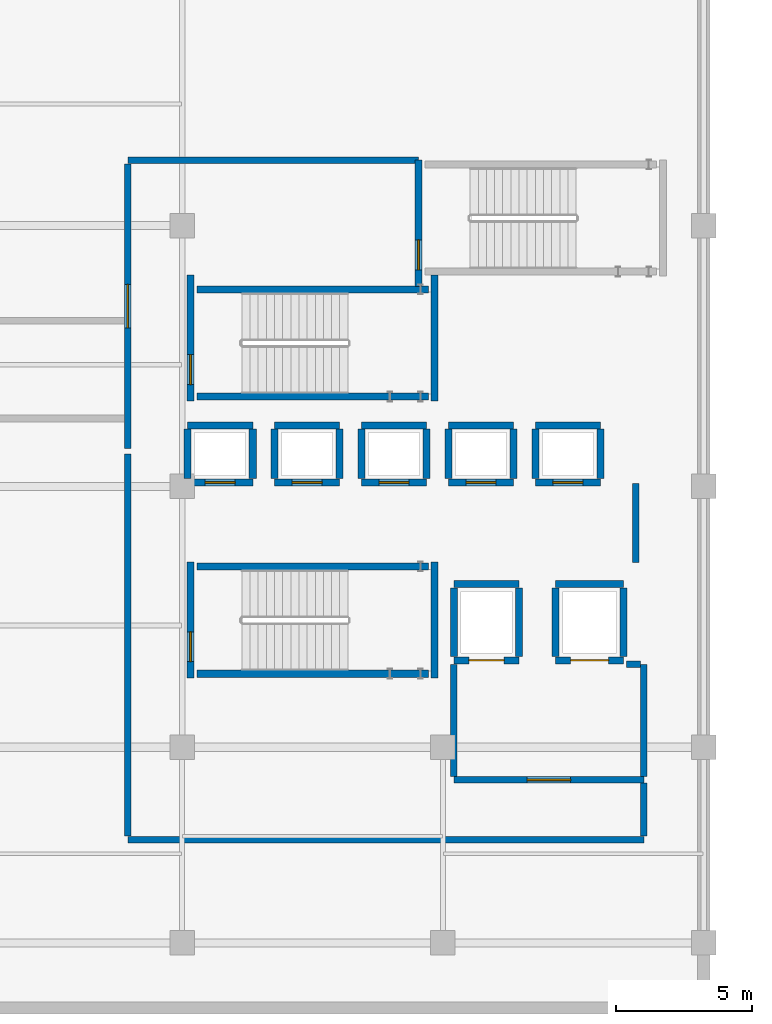
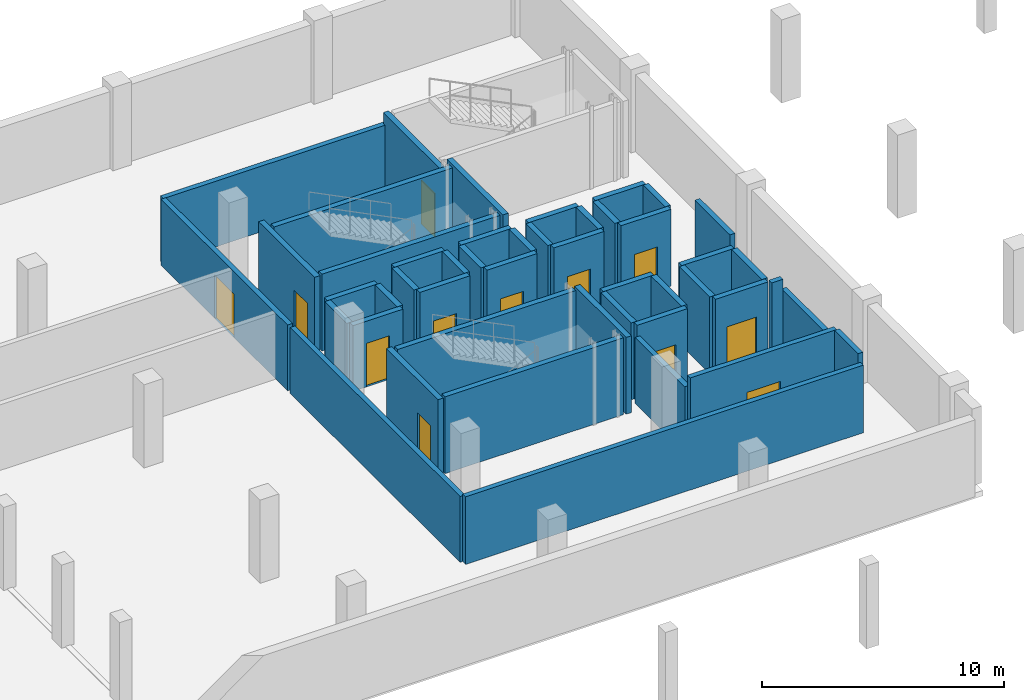
# One storey, part 36 of 47: 47 walls, 12 doors, 12 openings.
"""IFC4 building model written with IfcOpenShell, lengths in metres."""

from ifc_helpers import new_model, si_unit, direction, frame, frame_2d, origin, place, context, subcontext, project, spatial, rectangle, extrude, material, layer, layer_set, type_object, element, fill, save


model = new_model("IFC4")

# Units and contexts
model_context = context("Model", 3, precision=1e-05, world=origin(), true_north=direction((0.0, 1.0)))
body_context = subcontext(model_context, "Body", "Model", "MODEL_VIEW")
ifc_project = project(units=[si_unit("LENGTHUNIT", "METRE"), si_unit("AREAUNIT", "SQUARE_METRE"), si_unit("VOLUMEUNIT", "CUBIC_METRE"), si_unit("PLANEANGLEUNIT", "RADIAN"), si_unit("MASSUNIT", "GRAM", prefix="KILO")], contexts=[model_context])

# Site, building, storey
site_placement = place(None, origin())
site = spatial("IfcSite", under=ifc_project, at=site_placement, CompositionType="ELEMENT")
building_placement = place(site_placement, origin())
building = spatial("IfcBuilding", under=site, at=building_placement, Name="Zevrakil Square Congress Hotel", CompositionType="ELEMENT")
storey_placement = place(building_placement, frame((0.0, 0.0, -4.199951171875)))
storey = spatial("IfcBuildingStorey", under=building, at=storey_placement, Name="B1", CompositionType="ELEMENT", Elevation=-4.199951171875)

# Wall, opening, door
ifc_material_1 = material(Name="Concrete C35/45", Category="concrete")
ifc_layer_1 = layer(ifc_material_1, 0.239990234375)
ifc_layer_set_1 = layer_set([ifc_layer_1], Name="Concrete C35/45")
wall_type_1 = type_object("IfcWallType", Name="WAL-COMP-240", PredefinedType="SOLIDWALL", material=ifc_layer_set_1)
wall_1_placement = place(storey_placement, frame((146.800048828125, 15.60009765625, 0.0), z_axis=(0.0, 0.0, 1.0), x_axis=(1.0, 0.0, 0.0)))
wall_1 = element("IfcWall", 1, at=wall_1_placement, inside=storey, type_object=wall_type_1, Name="B1 interior partition PW-B1-0016", PredefinedType="SOLIDWALL", context=body_context, shape_type="SweptSolid", body=[
    extrude(rectangle(XDim=7.0, YDim=0.239990234375, at=frame_2d((3.5, 0.0))), origin(), (0.0, 0.0, 1.0), 3.8798828125),
])
opening_1_placement = place(wall_1_placement, frame((2.699951171875, 0.0, 0.0)))
opening_1 = element("IfcOpeningElement", 2, at=opening_1_placement, cuts=wall_1, Name="Opening FD90-D", PredefinedType="OPENING", context=body_context, shape_type="SweptSolid", body=[
    extrude(rectangle(XDim=1.60009765625, YDim=2.199951171875, at=frame_2d((0.800048828125, 1.10009765625))), frame((0.0, 0.1298828125, 0.0), z_axis=(0.0, -1.0, 0.0), x_axis=(1.0, 0.0, 0.0)), (0.0, 0.0, 1.0), 0.260009765625),
])
ifc_material_2 = material(Name="Steel S355 Double Fire Door", Category="steel")
door_type_1 = type_object("IfcDoorType", Name="DOR-FFLOB-FD90-160", OperationType="NOTDEFINED", PredefinedType="DOOR", material=ifc_material_2)
door_1_placement = place(opening_1_placement, origin())
door_1 = element("IfcDoor", 3, at=door_1_placement, inside=storey, type_object=door_type_1, Name="B1 interior door 5", OperationType="DOUBLE_DOOR_SINGLE_SWING", OverallHeight=2.199951171875, OverallWidth=1.60009765625, PredefinedType="DOOR", context=body_context, shape_type="SweptSolid", body=[
    extrude(rectangle(XDim=1.60009765625, YDim=2.199951171875, at=frame_2d((0.800048828125, 1.10009765625))), frame((0.0, 0.02490234375, 0.0), z_axis=(0.0, -1.0, 0.0), x_axis=(1.0, 0.0, 0.0)), (0.0, 0.0, 1.0), 0.050048828125),
])
fill(opening_1, door_1)

# Walls
for number, where, z_axis, x_axis, name in (
    (4, (146.800048828125, 15.72509765625, 0.0), (0.0, 0.0, 1.0), (0.0, 1.0, 0.0), "B1 interior partition PW-B1-0017"),
    (5, (153.800048828125, 15.72509765625, 0.0), (0.0, 0.0, 1.0), (0.0, 1.0, 0.0), "B1 interior partition PW-B1-0018"),
):
    element("IfcWall", number, at=place(storey_placement, frame(where, z_axis=z_axis, x_axis=x_axis)), inside=storey, type_object=wall_type_1, Name=name, PredefinedType="SOLIDWALL", context=body_context, shape_type="SweptSolid", body=[
        extrude(rectangle(XDim=4.125, YDim=0.239990234375, at=frame_2d((2.0625, 0.0))), origin(), (0.0, 0.0, 1.0), 3.324951171875),
    ])
wall_2_placement = place(storey_placement, frame((153.14990234375, 19.85009765625, 0.0), z_axis=(0.0, 0.0, 1.0), x_axis=(1.0, 0.0, 0.0)))
element("IfcWall", 6, at=wall_2_placement, inside=storey, type_object=wall_type_1, Name="B1 interior partition PW-B1-0019", PredefinedType="SOLIDWALL", context=body_context, shape_type="SweptSolid", body=[
    extrude(rectangle(XDim=0.525146484375, YDim=0.239990234375, at=frame_2d((0.2626953125, 0.0))), origin(), (0.0, 0.0, 1.0), 3.8798828125),
])
wall_3_placement = place(storey_placement, frame((134.800048828125, 13.39990234375, 0.0), z_axis=(0.0, 0.0, 1.0), x_axis=(1.0, 0.0, 0.0)))
element("IfcWall", 7, at=wall_3_placement, inside=storey, type_object=wall_type_1, Name="B1 interior partition PW-B1-0020", PredefinedType="SOLIDWALL", context=body_context, shape_type="SweptSolid", body=[
    extrude(rectangle(XDim=19.0, YDim=0.239990234375, at=frame_2d((9.5, 0.0))), origin(), (0.0, 0.0, 1.0), 3.4150390625),
])
wall_4_placement = place(storey_placement, frame((153.800048828125, 13.52490234375, 0.0), z_axis=(0.0, 0.0, 1.0), x_axis=(0.0, 1.0, 0.0)))
element("IfcWall", 8, at=wall_4_placement, inside=storey, type_object=wall_type_1, Name="B1 interior partition PW-B1-0021", PredefinedType="SOLIDWALL", context=body_context, shape_type="SweptSolid", body=[
    extrude(rectangle(XDim=1.9501953125, YDim=0.239990234375, at=frame_2d((0.97509765625, 0.0))), origin(), (0.0, 0.0, 1.0), 3.8798828125),
])
wall_5_placement = place(storey_placement, frame((134.800048828125, 13.52490234375, 0.0), z_axis=(0.0, 0.0, 1.0), x_axis=(0.0, 1.0, 0.0)))
element("IfcWall", 9, at=wall_5_placement, inside=storey, type_object=wall_type_1, Name="B1 interior partition PW-B1-0022", PredefinedType="SOLIDWALL", context=body_context, shape_type="SweptSolid", body=[
    extrude(rectangle(XDim=14.0751953125, YDim=0.239990234375, at=frame_2d((7.03759765625, 0.0))), origin(), (0.0, 0.0, 1.0), 3.324951171875),
])

# Wall, opening, door
wall_6_placement = place(storey_placement, frame((134.800048828125, 27.800048828125, 0.0), z_axis=(0.0, 0.0, 1.0), x_axis=(0.0, 1.0, 0.0)))
wall_6 = element("IfcWall", 10, at=wall_6_placement, inside=storey, type_object=wall_type_1, Name="B1 interior partition PW-B1-0023", PredefinedType="SOLIDWALL", context=body_context, shape_type="SweptSolid", body=[
    extrude(rectangle(XDim=10.474853515625, YDim=0.239990234375, at=frame_2d((5.2373046875, 0.0))), origin(), (0.0, 0.0, 1.0), 3.324951171875),
])
opening_2_placement = place(wall_6_placement, frame((4.4375, 0.0, 0.0)))
opening_2 = element("IfcOpeningElement", 11, at=opening_2_placement, cuts=wall_6, Name="Opening FD90-D", PredefinedType="OPENING", context=body_context, shape_type="SweptSolid", body=[
    extrude(rectangle(XDim=1.60009765625, YDim=2.199951171875, at=frame_2d((0.800048828125, 1.10009765625))), frame((0.0, 0.1298828125, 0.0), z_axis=(0.0, -1.0, 0.0), x_axis=(1.0, 0.0, 0.0)), (0.0, 0.0, 1.0), 0.260009765625),
])
door_2_placement = place(opening_2_placement, origin())
door_2 = element("IfcDoor", 12, at=door_2_placement, inside=storey, type_object=door_type_1, Name="B1 interior door 6", OperationType="DOUBLE_DOOR_SINGLE_SWING", OverallHeight=2.199951171875, OverallWidth=1.60009765625, PredefinedType="DOOR", context=body_context, shape_type="SweptSolid", body=[
    extrude(rectangle(XDim=1.60009765625, YDim=2.199951171875, at=frame_2d((0.800048828125, 1.10009765625))), frame((0.0, 0.02490234375, 0.0), z_axis=(0.0, -1.0, 0.0), x_axis=(1.0, 0.0, 0.0)), (0.0, 0.0, 1.0), 0.050048828125),
])
fill(opening_2, door_2)

# Walls
wall_7_placement = place(storey_placement, frame((134.800048828125, 38.39990234375, 0.0), z_axis=(0.0, 0.0, 1.0), x_axis=(1.0, 0.0, 0.0)))
element("IfcWall", 13, at=wall_7_placement, inside=storey, type_object=wall_type_1, Name="B1 interior partition PW-B1-0024", PredefinedType="SOLIDWALL", context=body_context, shape_type="SweptSolid", body=[
    extrude(rectangle(XDim=10.699951171875, YDim=0.239990234375, at=frame_2d((5.35009765625, 0.0))), origin(), (0.0, 0.0, 1.0), 3.31494140625),
])
wall_8_placement = place(storey_placement, frame((153.5, 23.60009765625, 0.0), z_axis=(0.0, 0.0, 1.0), x_axis=(0.0, 1.0, 0.0)))
element("IfcWall", 14, at=wall_8_placement, inside=storey, type_object=wall_type_1, Name="B1 interior partition PW-B1-0025", PredefinedType="SOLIDWALL", context=body_context, shape_type="SweptSolid", body=[
    extrude(rectangle(XDim=2.89990234375, YDim=0.239990234375, at=frame_2d((1.449951171875, 0.0))), origin(), (0.0, 0.0, 1.0), 3.8798828125),
])

# Wall, opening, door
ifc_material_3 = material(Name="Concrete C40/50", Category="concrete")
ifc_layer_2 = layer(ifc_material_3, 0.260009765625)
ifc_layer_set_2 = layer_set([ifc_layer_2], Name="Concrete C40/50")
wall_type_2 = type_object("IfcWallType", Name="WAL-SHAFT-260", PredefinedType="SHEAR", material=ifc_layer_set_2)
wall_9_placement = place(storey_placement, frame((137.10498046875, 19.340087890625, 0.0), z_axis=(0.0, 0.0, 1.0), x_axis=(0.0, 1.0, 0.0)))
wall_9 = element("IfcWall", 15, at=wall_9_placement, inside=storey, type_object=wall_type_2, Name="B1 ST01 stair shaft W wall", PredefinedType="SHEAR", context=body_context, shape_type="SweptSolid", body=[
    extrude(rectangle(XDim=4.27001953125, YDim=0.260009765625, at=frame_2d((2.135009765625, 0.0))), origin(), (0.0, 0.0, 1.0), 3.8798828125),
])
opening_3_placement = place(wall_9_placement, frame((0.610107421875, 0.0, 0.0)))
opening_3 = element("IfcOpeningElement", 16, at=opening_3_placement, cuts=wall_9, Name="Opening SD-ST01", PredefinedType="OPENING", context=body_context, shape_type="SweptSolid", body=[
    extrude(rectangle(XDim=1.10009765625, YDim=2.199951171875, at=frame_2d((0.550048828125, 1.10009765625))), frame((0.0, 0.14013671875, 0.0), z_axis=(0.0, -1.0, 0.0), x_axis=(1.0, 0.0, 0.0)), (0.0, 0.0, 1.0), 0.280029296875),
])
ifc_material_4 = material(Name="Steel S355 Fire-Rated Door", Category="steel")
door_type_2 = type_object("IfcDoorType", Name="DOR-STAIR-FD90-110", OperationType="NOTDEFINED", PredefinedType="DOOR", material=ifc_material_4)
door_3_placement = place(opening_3_placement, origin())
door_3 = element("IfcDoor", 17, at=door_3_placement, inside=storey, type_object=door_type_2, Name="B1 ST01 protected stair fire door", OperationType="SINGLE_SWING_LEFT", OverallHeight=2.199951171875, OverallWidth=1.10009765625, PredefinedType="DOOR", context=body_context, shape_type="SweptSolid", body=[
    extrude(rectangle(XDim=1.10009765625, YDim=2.199951171875, at=frame_2d((0.550048828125, 1.10009765625))), frame((0.0, 0.02490234375, 0.0), z_axis=(0.0, -1.0, 0.0), x_axis=(1.0, 0.0, 0.0)), (0.0, 0.0, 1.0), 0.050048828125),
])
fill(opening_3, door_3)

# Walls
wall_10_placement = place(storey_placement, frame((146.094970703125, 19.340087890625, 0.0), z_axis=(0.0, 0.0, 1.0), x_axis=(0.0, 1.0, 0.0)))
element("IfcWall", 18, at=wall_10_placement, inside=storey, type_object=wall_type_2, Name="B1 ST01 stair shaft E wall", PredefinedType="SHEAR", context=body_context, shape_type="SweptSolid", body=[
    extrude(rectangle(XDim=4.27001953125, YDim=0.260009765625, at=frame_2d((2.135009765625, 0.0))), origin(), (0.0, 0.0, 1.0), 3.8798828125),
])
for number, where, z_axis, x_axis, name in (
    (19, (137.340087890625, 19.5048828125, 0.0), (0.0, 0.0, 1.0), (1.0, 0.0, 0.0), "B1 ST01 stair shaft S wall"),
    (20, (137.340087890625, 23.445068359375, 0.0), (0.0, 0.0, 1.0), (1.0, 0.0, 0.0), "B1 ST01 stair shaft N wall"),
):
    element("IfcWall", number, at=place(storey_placement, frame(where, z_axis=z_axis, x_axis=x_axis)), inside=storey, type_object=wall_type_2, Name=name, PredefinedType="SHEAR", context=body_context, shape_type="SweptSolid", body=[
        extrude(rectangle(XDim=8.52001953125, YDim=0.260009765625, at=frame_2d((4.260009765625, 0.0))), origin(), (0.0, 0.0, 1.0), 3.8798828125),
    ])

# Wall, opening, door
wall_11_placement = place(storey_placement, frame((137.10498046875, 29.5400390625, 0.0), z_axis=(0.0, 0.0, 1.0), x_axis=(0.0, 1.0, 0.0)))
wall_11 = element("IfcWall", 21, at=wall_11_placement, inside=storey, type_object=wall_type_2, Name="B1 ST02 stair shaft W wall", PredefinedType="SHEAR", context=body_context, shape_type="SweptSolid", body=[
    extrude(rectangle(XDim=4.635009765625, YDim=0.260009765625, at=frame_2d((2.3173828125, 0.0))), origin(), (0.0, 0.0, 1.0), 3.8798828125),
])
opening_4_placement = place(wall_11_placement, frame((0.610107421875, 0.0, 0.0)))
opening_4 = element("IfcOpeningElement", 22, at=opening_4_placement, cuts=wall_11, Name="Opening SD-ST02", PredefinedType="OPENING", context=body_context, shape_type="SweptSolid", body=[
    extrude(rectangle(XDim=1.10009765625, YDim=2.199951171875, at=frame_2d((0.550048828125, 1.10009765625))), frame((0.0, 0.14013671875, 0.0), z_axis=(0.0, -1.0, 0.0), x_axis=(1.0, 0.0, 0.0)), (0.0, 0.0, 1.0), 0.280029296875),
])
door_4_placement = place(opening_4_placement, origin())
door_4 = element("IfcDoor", 23, at=door_4_placement, inside=storey, type_object=door_type_2, Name="B1 ST02 protected stair fire door", OperationType="SINGLE_SWING_LEFT", OverallHeight=2.199951171875, OverallWidth=1.10009765625, PredefinedType="DOOR", context=body_context, shape_type="SweptSolid", body=[
    extrude(rectangle(XDim=1.10009765625, YDim=2.199951171875, at=frame_2d((0.550048828125, 1.10009765625))), frame((0.0, 0.02490234375, 0.0), z_axis=(0.0, -1.0, 0.0), x_axis=(1.0, 0.0, 0.0)), (0.0, 0.0, 1.0), 0.050048828125),
])
fill(opening_4, door_4)

# Walls
wall_12_placement = place(storey_placement, frame((146.094970703125, 29.5400390625, 0.0), z_axis=(0.0, 0.0, 1.0), x_axis=(0.0, 1.0, 0.0)))
element("IfcWall", 24, at=wall_12_placement, inside=storey, type_object=wall_type_2, Name="B1 ST02 stair shaft E wall", PredefinedType="SHEAR", context=body_context, shape_type="SweptSolid", body=[
    extrude(rectangle(XDim=4.635009765625, YDim=0.260009765625, at=frame_2d((2.3173828125, 0.0))), origin(), (0.0, 0.0, 1.0), 3.8798828125),
])
for number, where, z_axis, x_axis, name in (
    (25, (137.340087890625, 29.705078125, 0.0), (0.0, 0.0, 1.0), (1.0, 0.0, 0.0), "B1 ST02 stair shaft S wall"),
    (26, (137.340087890625, 33.64501953125, 0.0), (0.0, 0.0, 1.0), (1.0, 0.0, 0.0), "B1 ST02 stair shaft N wall"),
):
    element("IfcWall", number, at=place(storey_placement, frame(where, z_axis=z_axis, x_axis=x_axis)), inside=storey, type_object=wall_type_2, Name=name, PredefinedType="SHEAR", context=body_context, shape_type="SweptSolid", body=[
        extrude(rectangle(XDim=8.52001953125, YDim=0.260009765625, at=frame_2d((4.260009765625, 0.0))), origin(), (0.0, 0.0, 1.0), 3.8798828125),
    ])

# Wall, opening, door
wall_13_placement = place(storey_placement, frame((145.5048828125, 33.764892578125, 0.0), z_axis=(0.0, 0.0, 1.0), x_axis=(0.0, 1.0, 0.0)))
wall_13 = element("IfcWall", 27, at=wall_13_placement, inside=storey, type_object=wall_type_2, Name="B1 ST03 stair shaft W wall", PredefinedType="SHEAR", context=body_context, shape_type="SweptSolid", body=[
    extrude(rectangle(XDim=4.64501953125, YDim=0.260009765625, at=frame_2d((2.322509765625, 0.0))), origin(), (0.0, 0.0, 1.0), 3.8798828125),
])
opening_5_placement = place(wall_13_placement, frame((0.610107421875, 0.0, 0.0)))
opening_5 = element("IfcOpeningElement", 28, at=opening_5_placement, cuts=wall_13, Name="Opening SD-ST03", PredefinedType="OPENING", context=body_context, shape_type="SweptSolid", body=[
    extrude(rectangle(XDim=1.10009765625, YDim=2.199951171875, at=frame_2d((0.550048828125, 1.10009765625))), frame((0.0, 0.14013671875, 0.0), z_axis=(0.0, -1.0, 0.0), x_axis=(1.0, 0.0, 0.0)), (0.0, 0.0, 1.0), 0.280029296875),
])
door_5_placement = place(opening_5_placement, origin())
door_5 = element("IfcDoor", 29, at=door_5_placement, inside=storey, type_object=door_type_2, Name="B1 ST03 protected stair fire door", OperationType="SINGLE_SWING_LEFT", OverallHeight=2.199951171875, OverallWidth=1.10009765625, PredefinedType="DOOR", context=body_context, shape_type="SweptSolid", body=[
    extrude(rectangle(XDim=1.10009765625, YDim=2.199951171875, at=frame_2d((0.550048828125, 1.10009765625))), frame((0.0, 0.02490234375, 0.0), z_axis=(0.0, -1.0, 0.0), x_axis=(1.0, 0.0, 0.0)), (0.0, 0.0, 1.0), 0.050048828125),
])
fill(opening_5, door_5)

wall_14_placement = place(storey_placement, frame((137.0, 26.550048828125, 0.0), z_axis=(0.0, 0.0, 1.0), x_axis=(1.0, 0.0, 0.0)))
wall_14 = element("IfcWall", 30, at=wall_14_placement, inside=storey, type_object=wall_type_2, Name="B1 HL1 lift shaft wall", PredefinedType="SHEAR", context=body_context, shape_type="SweptSolid", body=[
    extrude(rectangle(XDim=2.39990234375, YDim=0.260009765625, at=frame_2d((1.199951171875, 0.0))), origin(), (0.0, 0.0, 1.0), 3.31494140625),
])
opening_6_placement = place(wall_14_placement, frame((0.64990234375, 0.0, 0.0)))
opening_6 = element("IfcOpeningElement", 31, at=opening_6_placement, cuts=wall_14, Name="Opening LD-HL1", PredefinedType="OPENING", context=body_context, shape_type="SweptSolid", body=[
    extrude(rectangle(XDim=1.10009765625, YDim=2.199951171875, at=frame_2d((0.550048828125, 1.10009765625))), frame((0.0, 0.14013671875, 0.0), z_axis=(0.0, -1.0, 0.0), x_axis=(1.0, 0.0, 0.0)), (0.0, 0.0, 1.0), 0.280029296875),
])
ifc_material_5 = material(Name="Stainless Steel Sliding Lift Landing Door", Category="steel")
door_type_3 = type_object("IfcDoorType", Name="DOR-LIFT-LD110", OperationType="NOTDEFINED", PredefinedType="DOOR", material=ifc_material_5)
door_6_placement = place(opening_6_placement, origin())
door_6 = element("IfcDoor", 32, at=door_6_placement, inside=storey, type_object=door_type_3, Name="B1 HL1 sliding lift landing door", OperationType="SLIDING_TO_LEFT", OverallHeight=2.199951171875, OverallWidth=1.10009765625, PredefinedType="DOOR", context=body_context, shape_type="SweptSolid", body=[
    extrude(rectangle(XDim=1.10009765625, YDim=2.199951171875, at=frame_2d((0.550048828125, 1.10009765625))), frame((0.0, 0.02490234375, 0.0), z_axis=(0.0, -1.0, 0.0), x_axis=(1.0, 0.0, 0.0)), (0.0, 0.0, 1.0), 0.050048828125),
])
fill(opening_6, door_6)

# Walls
wall_15_placement = place(storey_placement, frame((137.0, 28.64990234375, 0.0), z_axis=(0.0, 0.0, 1.0), x_axis=(1.0, 0.0, 0.0)))
element("IfcWall", 33, at=wall_15_placement, inside=storey, type_object=wall_type_2, Name="B1 HL1 lift shaft wall", PredefinedType="SHEAR", context=body_context, shape_type="SweptSolid", body=[
    extrude(rectangle(XDim=2.39990234375, YDim=0.260009765625, at=frame_2d((1.199951171875, 0.0))), origin(), (0.0, 0.0, 1.0), 3.31494140625),
])
for number, where, z_axis, x_axis, name in (
    (34, (137.0, 26.68994140625, 0.0), (0.0, 0.0, 1.0), (0.0, 1.0, 0.0), "B1 HL1 lift shaft wall"),
    (35, (139.39990234375, 26.68994140625, 0.0), (0.0, 0.0, 1.0), (0.0, 1.0, 0.0), "B1 HL1 lift shaft wall"),
):
    element("IfcWall", number, at=place(storey_placement, frame(where, z_axis=z_axis, x_axis=x_axis)), inside=storey, type_object=wall_type_2, Name=name, PredefinedType="SHEAR", context=body_context, shape_type="SweptSolid", body=[
        extrude(rectangle(XDim=1.820068359375, YDim=0.260009765625, at=frame_2d((0.91015625, 0.0))), origin(), (0.0, 0.0, 1.0), 3.31494140625),
    ])

# Wall, opening, door
wall_16_placement = place(storey_placement, frame((140.199951171875, 26.550048828125, 0.0), z_axis=(0.0, 0.0, 1.0), x_axis=(1.0, 0.0, 0.0)))
wall_16 = element("IfcWall", 36, at=wall_16_placement, inside=storey, type_object=wall_type_2, Name="B1 HL2 lift shaft wall", PredefinedType="SHEAR", context=body_context, shape_type="SweptSolid", body=[
    extrude(rectangle(XDim=2.400146484375, YDim=0.260009765625, at=frame_2d((1.2001953125, 0.0))), origin(), (0.0, 0.0, 1.0), 3.8798828125),
])
opening_7_placement = place(wall_16_placement, frame((0.64990234375, 0.0, 0.0)))
opening_7 = element("IfcOpeningElement", 37, at=opening_7_placement, cuts=wall_16, Name="Opening LD-HL2", PredefinedType="OPENING", context=body_context, shape_type="SweptSolid", body=[
    extrude(rectangle(XDim=1.10009765625, YDim=2.199951171875, at=frame_2d((0.550048828125, 1.10009765625))), frame((0.0, 0.14013671875, 0.0), z_axis=(0.0, -1.0, 0.0), x_axis=(1.0, 0.0, 0.0)), (0.0, 0.0, 1.0), 0.280029296875),
])
door_7_placement = place(opening_7_placement, origin())
door_7 = element("IfcDoor", 38, at=door_7_placement, inside=storey, type_object=door_type_3, Name="B1 HL2 sliding lift landing door", OperationType="SLIDING_TO_RIGHT", OverallHeight=2.199951171875, OverallWidth=1.10009765625, PredefinedType="DOOR", context=body_context, shape_type="SweptSolid", body=[
    extrude(rectangle(XDim=1.10009765625, YDim=2.199951171875, at=frame_2d((0.550048828125, 1.10009765625))), frame((0.0, 0.02490234375, 0.0), z_axis=(0.0, -1.0, 0.0), x_axis=(1.0, 0.0, 0.0)), (0.0, 0.0, 1.0), 0.050048828125),
])
fill(opening_7, door_7)

# Walls
wall_17_placement = place(storey_placement, frame((140.199951171875, 28.64990234375, 0.0), z_axis=(0.0, 0.0, 1.0), x_axis=(1.0, 0.0, 0.0)))
element("IfcWall", 39, at=wall_17_placement, inside=storey, type_object=wall_type_2, Name="B1 HL2 lift shaft wall", PredefinedType="SHEAR", context=body_context, shape_type="SweptSolid", body=[
    extrude(rectangle(XDim=2.400146484375, YDim=0.260009765625, at=frame_2d((1.2001953125, 0.0))), origin(), (0.0, 0.0, 1.0), 3.8798828125),
])
for number, where, z_axis, x_axis, name in (
    (40, (140.199951171875, 26.68994140625, 0.0), (0.0, 0.0, 1.0), (0.0, 1.0, 0.0), "B1 HL2 lift shaft wall"),
    (41, (142.60009765625, 26.68994140625, 0.0), (0.0, 0.0, 1.0), (0.0, 1.0, 0.0), "B1 HL2 lift shaft wall"),
):
    element("IfcWall", number, at=place(storey_placement, frame(where, z_axis=z_axis, x_axis=x_axis)), inside=storey, type_object=wall_type_2, Name=name, PredefinedType="SHEAR", context=body_context, shape_type="SweptSolid", body=[
        extrude(rectangle(XDim=1.820068359375, YDim=0.260009765625, at=frame_2d((0.91015625, 0.0))), origin(), (0.0, 0.0, 1.0), 3.8798828125),
    ])

# Wall, opening, door
wall_18_placement = place(storey_placement, frame((143.39990234375, 26.550048828125, 0.0), z_axis=(0.0, 0.0, 1.0), x_axis=(1.0, 0.0, 0.0)))
wall_18 = element("IfcWall", 42, at=wall_18_placement, inside=storey, type_object=wall_type_2, Name="B1 HL3 lift shaft wall", PredefinedType="SHEAR", context=body_context, shape_type="SweptSolid", body=[
    extrude(rectangle(XDim=2.400146484375, YDim=0.260009765625, at=frame_2d((1.2001953125, 0.0))), origin(), (0.0, 0.0, 1.0), 3.8798828125),
])
opening_8_placement = place(wall_18_placement, frame((0.64990234375, 0.0, 0.0)))
opening_8 = element("IfcOpeningElement", 43, at=opening_8_placement, cuts=wall_18, Name="Opening LD-HL3", PredefinedType="OPENING", context=body_context, shape_type="SweptSolid", body=[
    extrude(rectangle(XDim=1.10009765625, YDim=2.199951171875, at=frame_2d((0.550048828125, 1.10009765625))), frame((0.0, 0.14013671875, 0.0), z_axis=(0.0, -1.0, 0.0), x_axis=(1.0, 0.0, 0.0)), (0.0, 0.0, 1.0), 0.280029296875),
])
door_8_placement = place(opening_8_placement, origin())
door_8 = element("IfcDoor", 44, at=door_8_placement, inside=storey, type_object=door_type_3, Name="B1 HL3 sliding lift landing door", OperationType="SLIDING_TO_LEFT", OverallHeight=2.199951171875, OverallWidth=1.10009765625, PredefinedType="DOOR", context=body_context, shape_type="SweptSolid", body=[
    extrude(rectangle(XDim=1.10009765625, YDim=2.199951171875, at=frame_2d((0.550048828125, 1.10009765625))), frame((0.0, 0.02490234375, 0.0), z_axis=(0.0, -1.0, 0.0), x_axis=(1.0, 0.0, 0.0)), (0.0, 0.0, 1.0), 0.050048828125),
])
fill(opening_8, door_8)

# Walls
wall_19_placement = place(storey_placement, frame((143.39990234375, 28.64990234375, 0.0), z_axis=(0.0, 0.0, 1.0), x_axis=(1.0, 0.0, 0.0)))
element("IfcWall", 45, at=wall_19_placement, inside=storey, type_object=wall_type_2, Name="B1 HL3 lift shaft wall", PredefinedType="SHEAR", context=body_context, shape_type="SweptSolid", body=[
    extrude(rectangle(XDim=2.400146484375, YDim=0.260009765625, at=frame_2d((1.2001953125, 0.0))), origin(), (0.0, 0.0, 1.0), 3.8798828125),
])
for number, where, z_axis, x_axis, name in (
    (46, (143.39990234375, 26.68994140625, 0.0), (0.0, 0.0, 1.0), (0.0, 1.0, 0.0), "B1 HL3 lift shaft wall"),
    (47, (145.800048828125, 26.68994140625, 0.0), (0.0, 0.0, 1.0), (0.0, 1.0, 0.0), "B1 HL3 lift shaft wall"),
):
    element("IfcWall", number, at=place(storey_placement, frame(where, z_axis=z_axis, x_axis=x_axis)), inside=storey, type_object=wall_type_2, Name=name, PredefinedType="SHEAR", context=body_context, shape_type="SweptSolid", body=[
        extrude(rectangle(XDim=1.820068359375, YDim=0.260009765625, at=frame_2d((0.91015625, 0.0))), origin(), (0.0, 0.0, 1.0), 3.8798828125),
    ])

# Wall, opening, door
wall_20_placement = place(storey_placement, frame((146.60009765625, 26.550048828125, 0.0), z_axis=(0.0, 0.0, 1.0), x_axis=(1.0, 0.0, 0.0)))
wall_20 = element("IfcWall", 48, at=wall_20_placement, inside=storey, type_object=wall_type_2, Name="B1 HL4 lift shaft wall", PredefinedType="SHEAR", context=body_context, shape_type="SweptSolid", body=[
    extrude(rectangle(XDim=2.39990234375, YDim=0.260009765625, at=frame_2d((1.199951171875, 0.0))), origin(), (0.0, 0.0, 1.0), 3.8798828125),
])
opening_9_placement = place(wall_20_placement, frame((0.64990234375, 0.0, 0.0)))
opening_9 = element("IfcOpeningElement", 49, at=opening_9_placement, cuts=wall_20, Name="Opening LD-HL4", PredefinedType="OPENING", context=body_context, shape_type="SweptSolid", body=[
    extrude(rectangle(XDim=1.10009765625, YDim=2.199951171875, at=frame_2d((0.550048828125, 1.10009765625))), frame((0.0, 0.14013671875, 0.0), z_axis=(0.0, -1.0, 0.0), x_axis=(1.0, 0.0, 0.0)), (0.0, 0.0, 1.0), 0.280029296875),
])
door_9_placement = place(opening_9_placement, origin())
door_9 = element("IfcDoor", 50, at=door_9_placement, inside=storey, type_object=door_type_3, Name="B1 HL4 sliding lift landing door", OperationType="SLIDING_TO_RIGHT", OverallHeight=2.199951171875, OverallWidth=1.10009765625, PredefinedType="DOOR", context=body_context, shape_type="SweptSolid", body=[
    extrude(rectangle(XDim=1.10009765625, YDim=2.199951171875, at=frame_2d((0.550048828125, 1.10009765625))), frame((0.0, 0.02490234375, 0.0), z_axis=(0.0, -1.0, 0.0), x_axis=(1.0, 0.0, 0.0)), (0.0, 0.0, 1.0), 0.050048828125),
])
fill(opening_9, door_9)

# Walls
wall_21_placement = place(storey_placement, frame((146.60009765625, 28.64990234375, 0.0), z_axis=(0.0, 0.0, 1.0), x_axis=(1.0, 0.0, 0.0)))
element("IfcWall", 51, at=wall_21_placement, inside=storey, type_object=wall_type_2, Name="B1 HL4 lift shaft wall", PredefinedType="SHEAR", context=body_context, shape_type="SweptSolid", body=[
    extrude(rectangle(XDim=2.39990234375, YDim=0.260009765625, at=frame_2d((1.199951171875, 0.0))), origin(), (0.0, 0.0, 1.0), 3.8798828125),
])
for number, where, z_axis, x_axis, name in (
    (52, (146.60009765625, 26.68994140625, 0.0), (0.0, 0.0, 1.0), (0.0, 1.0, 0.0), "B1 HL4 lift shaft wall"),
    (53, (149.0, 26.68994140625, 0.0), (0.0, 0.0, 1.0), (0.0, 1.0, 0.0), "B1 HL4 lift shaft wall"),
):
    element("IfcWall", number, at=place(storey_placement, frame(where, z_axis=z_axis, x_axis=x_axis)), inside=storey, type_object=wall_type_2, Name=name, PredefinedType="SHEAR", context=body_context, shape_type="SweptSolid", body=[
        extrude(rectangle(XDim=1.820068359375, YDim=0.260009765625, at=frame_2d((0.91015625, 0.0))), origin(), (0.0, 0.0, 1.0), 3.8798828125),
    ])

# Wall, opening, door
wall_22_placement = place(storey_placement, frame((149.800048828125, 26.550048828125, 0.0), z_axis=(0.0, 0.0, 1.0), x_axis=(1.0, 0.0, 0.0)))
wall_22 = element("IfcWall", 54, at=wall_22_placement, inside=storey, type_object=wall_type_2, Name="B1 HL5 lift shaft wall", PredefinedType="SHEAR", context=body_context, shape_type="SweptSolid", body=[
    extrude(rectangle(XDim=2.39990234375, YDim=0.260009765625, at=frame_2d((1.199951171875, 0.0))), origin(), (0.0, 0.0, 1.0), 3.8798828125),
])
opening_10_placement = place(wall_22_placement, frame((0.64990234375, 0.0, 0.0)))
opening_10 = element("IfcOpeningElement", 55, at=opening_10_placement, cuts=wall_22, Name="Opening LD-HL5", PredefinedType="OPENING", context=body_context, shape_type="SweptSolid", body=[
    extrude(rectangle(XDim=1.10009765625, YDim=2.199951171875, at=frame_2d((0.550048828125, 1.10009765625))), frame((0.0, 0.14013671875, 0.0), z_axis=(0.0, -1.0, 0.0), x_axis=(1.0, 0.0, 0.0)), (0.0, 0.0, 1.0), 0.280029296875),
])
door_10_placement = place(opening_10_placement, origin())
door_10 = element("IfcDoor", 56, at=door_10_placement, inside=storey, type_object=door_type_3, Name="B1 HL5 sliding lift landing door", OperationType="SLIDING_TO_LEFT", OverallHeight=2.199951171875, OverallWidth=1.10009765625, PredefinedType="DOOR", context=body_context, shape_type="SweptSolid", body=[
    extrude(rectangle(XDim=1.10009765625, YDim=2.199951171875, at=frame_2d((0.550048828125, 1.10009765625))), frame((0.0, 0.02490234375, 0.0), z_axis=(0.0, -1.0, 0.0), x_axis=(1.0, 0.0, 0.0)), (0.0, 0.0, 1.0), 0.050048828125),
])
fill(opening_10, door_10)

# Walls
wall_23_placement = place(storey_placement, frame((149.800048828125, 28.64990234375, 0.0), z_axis=(0.0, 0.0, 1.0), x_axis=(1.0, 0.0, 0.0)))
element("IfcWall", 57, at=wall_23_placement, inside=storey, type_object=wall_type_2, Name="B1 HL5 lift shaft wall", PredefinedType="SHEAR", context=body_context, shape_type="SweptSolid", body=[
    extrude(rectangle(XDim=2.39990234375, YDim=0.260009765625, at=frame_2d((1.199951171875, 0.0))), origin(), (0.0, 0.0, 1.0), 3.8798828125),
])
for number, where, z_axis, x_axis, name in (
    (58, (149.800048828125, 26.68994140625, 0.0), (0.0, 0.0, 1.0), (0.0, 1.0, 0.0), "B1 HL5 lift shaft wall"),
    (59, (152.199951171875, 26.68994140625, 0.0), (0.0, 0.0, 1.0), (0.0, 1.0, 0.0), "B1 HL5 lift shaft wall"),
):
    element("IfcWall", number, at=place(storey_placement, frame(where, z_axis=z_axis, x_axis=x_axis)), inside=storey, type_object=wall_type_2, Name=name, PredefinedType="SHEAR", context=body_context, shape_type="SweptSolid", body=[
        extrude(rectangle(XDim=1.820068359375, YDim=0.260009765625, at=frame_2d((0.91015625, 0.0))), origin(), (0.0, 0.0, 1.0), 3.8798828125),
    ])

# Wall, opening, door
wall_24_placement = place(storey_placement, frame((146.800048828125, 20.0, 0.0), z_axis=(0.0, 0.0, 1.0), x_axis=(1.0, 0.0, 0.0)))
wall_24 = element("IfcWall", 60, at=wall_24_placement, inside=storey, type_object=wall_type_2, Name="B1 FFL1 lift shaft wall", PredefinedType="SHEAR", context=body_context, shape_type="SweptSolid", body=[
    extrude(rectangle(XDim=2.39990234375, YDim=0.260009765625, at=frame_2d((1.199951171875, 0.0))), origin(), (0.0, 0.0, 1.0), 3.8798828125),
])
opening_11_placement = place(wall_24_placement, frame((0.550048828125, 0.0, 0.0)))
opening_11 = element("IfcOpeningElement", 61, at=opening_11_placement, cuts=wall_24, Name="Opening LD-FFL1", PredefinedType="OPENING", context=body_context, shape_type="SweptSolid", body=[
    extrude(rectangle(XDim=1.300048828125, YDim=2.25, at=frame_2d((0.64990234375, 1.125))), frame((0.0, 0.14013671875, 0.0), z_axis=(0.0, -1.0, 0.0), x_axis=(1.0, 0.0, 0.0)), (0.0, 0.0, 1.0), 0.280029296875),
])
ifc_material_6 = material(Name="Stretcher Firefighting Sliding Landing Door")
door_type_4 = type_object("IfcDoorType", Name="DOR-LIFT-LD130", OperationType="NOTDEFINED", PredefinedType="DOOR", material=ifc_material_6)
door_11_placement = place(opening_11_placement, origin())
door_11 = element("IfcDoor", 62, at=door_11_placement, inside=storey, type_object=door_type_4, Name="B1 FFL1 sliding lift landing door", OperationType="SLIDING_TO_RIGHT", OverallHeight=2.25, OverallWidth=1.300048828125, PredefinedType="DOOR", context=body_context, shape_type="SweptSolid", body=[
    extrude(rectangle(XDim=1.300048828125, YDim=2.25, at=frame_2d((0.64990234375, 1.125))), frame((0.0, 0.02490234375, 0.0), z_axis=(0.0, -1.0, 0.0), x_axis=(1.0, 0.0, 0.0)), (0.0, 0.0, 1.0), 0.050048828125),
])
fill(opening_11, door_11)

# Walls
wall_25_placement = place(storey_placement, frame((146.800048828125, 22.800048828125, 0.0), z_axis=(0.0, 0.0, 1.0), x_axis=(1.0, 0.0, 0.0)))
element("IfcWall", 63, at=wall_25_placement, inside=storey, type_object=wall_type_2, Name="B1 FFL1 lift shaft wall", PredefinedType="SHEAR", context=body_context, shape_type="SweptSolid", body=[
    extrude(rectangle(XDim=2.39990234375, YDim=0.260009765625, at=frame_2d((1.199951171875, 0.0))), origin(), (0.0, 0.0, 1.0), 3.8798828125),
])
for number, where, z_axis, x_axis, name in (
    (64, (146.800048828125, 20.139892578125, 0.0), (0.0, 0.0, 1.0), (0.0, 1.0, 0.0), "B1 FFL1 lift shaft wall"),
    (65, (149.199951171875, 20.139892578125, 0.0), (0.0, 0.0, 1.0), (0.0, 1.0, 0.0), "B1 FFL1 lift shaft wall"),
):
    element("IfcWall", number, at=place(storey_placement, frame(where, z_axis=z_axis, x_axis=x_axis)), inside=storey, type_object=wall_type_2, Name=name, PredefinedType="SHEAR", context=body_context, shape_type="SweptSolid", body=[
        extrude(rectangle(XDim=2.52001953125, YDim=0.260009765625, at=frame_2d((1.260009765625, 0.0))), origin(), (0.0, 0.0, 1.0), 3.8798828125),
    ])

# Wall, opening, door
wall_26_placement = place(storey_placement, frame((150.550048828125, 20.0, 0.0), z_axis=(0.0, 0.0, 1.0), x_axis=(1.0, 0.0, 0.0)))
wall_26 = element("IfcWall", 66, at=wall_26_placement, inside=storey, type_object=wall_type_2, Name="B1 SL1 lift shaft wall", PredefinedType="SHEAR", context=body_context, shape_type="SweptSolid", body=[
    extrude(rectangle(XDim=2.5, YDim=0.260009765625, at=frame_2d((1.25, 0.0))), origin(), (0.0, 0.0, 1.0), 3.8798828125),
])
opening_12_placement = place(wall_26_placement, frame((0.550048828125, 0.0, 0.0)))
opening_12 = element("IfcOpeningElement", 67, at=opening_12_placement, cuts=wall_26, Name="Opening LD-SL1", PredefinedType="OPENING", context=body_context, shape_type="SweptSolid", body=[
    extrude(rectangle(XDim=1.39990234375, YDim=2.300048828125, at=frame_2d((0.699951171875, 1.14990234375))), frame((0.0, 0.14013671875, 0.0), z_axis=(0.0, -1.0, 0.0), x_axis=(1.0, 0.0, 0.0)), (0.0, 0.0, 1.0), 0.280029296875),
])
ifc_material_7 = material(Name="Goods Service Sliding Landing Door")
door_type_5 = type_object("IfcDoorType", Name="DOR-LIFT-LD140", OperationType="NOTDEFINED", PredefinedType="DOOR", material=ifc_material_7)
door_12_placement = place(opening_12_placement, origin())
door_12 = element("IfcDoor", 68, at=door_12_placement, inside=storey, type_object=door_type_5, Name="B1 SL1 sliding lift landing door", OperationType="SLIDING_TO_LEFT", OverallHeight=2.300048828125, OverallWidth=1.39990234375, PredefinedType="DOOR", context=body_context, shape_type="SweptSolid", body=[
    extrude(rectangle(XDim=1.39990234375, YDim=2.300048828125, at=frame_2d((0.699951171875, 1.14990234375))), frame((0.0, 0.02490234375, 0.0), z_axis=(0.0, -1.0, 0.0), x_axis=(1.0, 0.0, 0.0)), (0.0, 0.0, 1.0), 0.050048828125),
])
fill(opening_12, door_12)

# Walls
wall_27_placement = place(storey_placement, frame((150.550048828125, 22.800048828125, 0.0), z_axis=(0.0, 0.0, 1.0), x_axis=(1.0, 0.0, 0.0)))
element("IfcWall", 69, at=wall_27_placement, inside=storey, type_object=wall_type_2, Name="B1 SL1 lift shaft wall", PredefinedType="SHEAR", context=body_context, shape_type="SweptSolid", body=[
    extrude(rectangle(XDim=2.5, YDim=0.260009765625, at=frame_2d((1.25, 0.0))), origin(), (0.0, 0.0, 1.0), 3.8798828125),
])
for number, where, z_axis, x_axis, name in (
    (70, (150.550048828125, 20.139892578125, 0.0), (0.0, 0.0, 1.0), (0.0, 1.0, 0.0), "B1 SL1 lift shaft wall"),
    (71, (153.050048828125, 20.139892578125, 0.0), (0.0, 0.0, 1.0), (0.0, 1.0, 0.0), "B1 SL1 lift shaft wall"),
):
    element("IfcWall", number, at=place(storey_placement, frame(where, z_axis=z_axis, x_axis=x_axis)), inside=storey, type_object=wall_type_2, Name=name, PredefinedType="SHEAR", context=body_context, shape_type="SweptSolid", body=[
        extrude(rectangle(XDim=2.52001953125, YDim=0.260009765625, at=frame_2d((1.260009765625, 0.0))), origin(), (0.0, 0.0, 1.0), 3.8798828125),
    ])

save(model, "model.ifc")
